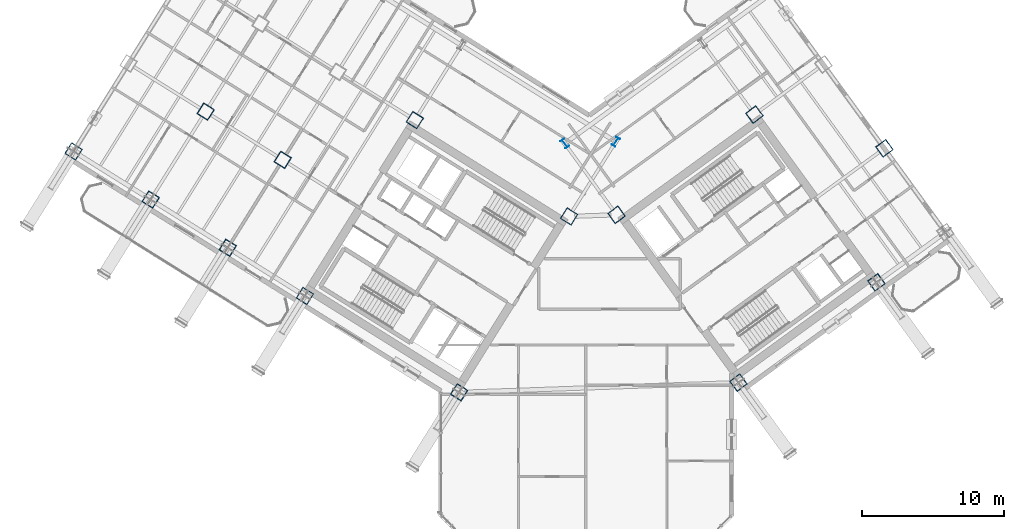
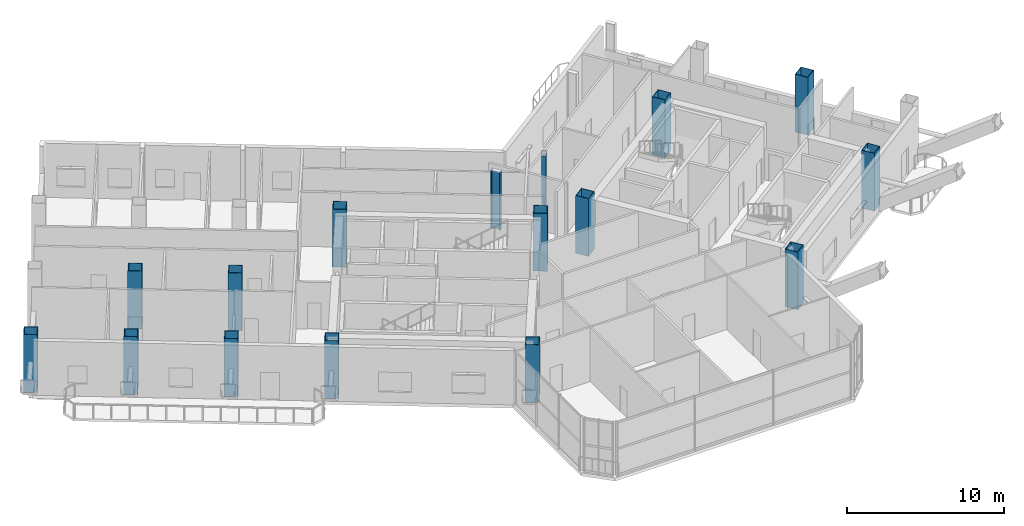
# One storey, part 1 of 32: 16 columns.
"""IFC4 building model written with IfcOpenShell, lengths in metres."""

from ifc_helpers import new_model, si_unit, direction, frame, origin, origin_2d, place, context, subcontext, project, spatial, hollow_rectangle, i_section, extrude, source, transform, mapped, material, material_profile, profile_set, type_object, element, save


model = new_model("IFC4")

# Units and contexts
model_context = context("Model", 3, precision=1e-05, world=origin(), true_north=direction((0.0, 1.0)))
body_context = subcontext(model_context, "Body", "Model", "MODEL_VIEW")
ifc_project = project(units=[si_unit("LENGTHUNIT", "METRE"), si_unit("AREAUNIT", "SQUARE_METRE"), si_unit("VOLUMEUNIT", "CUBIC_METRE"), si_unit("PLANEANGLEUNIT", "RADIAN"), si_unit("MASSUNIT", "GRAM", prefix="KILO")], contexts=[model_context])

# Site, building, storey
site_placement = place(None, origin())
site = spatial("IfcSite", under=ifc_project, at=site_placement, CompositionType="ELEMENT")
building_placement = place(site_placement, origin())
building = spatial("IfcBuilding", under=site, at=building_placement, Name="Tlacorven Tower", CompositionType="ELEMENT")
storey_placement = place(building_placement, frame((0.0, 0.0, 123.300048828125)))
storey = spatial("IfcBuildingStorey", under=building, at=storey_placement, Name="L31", CompositionType="ELEMENT", Elevation=123.300048828125)

# Columns
ifc_material = material(Name="Steel S460M", Category="steel")
ifc_material_profile_1 = material_profile(ifc_material, i_section(OverallWidth=0.300048828125, OverallDepth=0.64990234375, WebThickness=0.01611328125, FlangeThickness=0.031005859375, at=origin_2d()), Name="HEB 650")
ifc_profile_set_1 = profile_set([ifc_material_profile_1], Name="Steel S460M")
column_type_1 = type_object("IfcColumnType", Name="COL-TWR-P1", PredefinedType="COLUMN", material=ifc_profile_set_1)
shared_shape_1 = source(origin(), body_context, "Body", "SweptSolid", [
    extrude(i_section(OverallWidth=0.300048828125, OverallDepth=0.64990234375, WebThickness=0.01611328125, FlangeThickness=0.031005859375, at=origin_2d()), origin(), (0.0, 0.0, 1.0), 4.5),
])
for number, where, z_axis, x_axis, name in (
    (1, (44.068359375, 29.726318359375, 0.0), (0.0, 0.0, 1.0), (-0.848048096156, 0.529919264233, 0.0), "L31 column COL-L31-W1-1"),
    (2, (40.4794921875, 29.60107421875, 0.0), (0.0, 0.0, 1.0), (0.809016994375, 0.587785252292, 0.0), "L31 column COL-L31-E1-4"),
):
    element("IfcColumn", number, at=place(storey_placement, frame(where, z_axis=z_axis, x_axis=x_axis)), inside=storey, type_object=column_type_1, Name=name, PredefinedType="COLUMN", context=body_context, shape_type="MappedRepresentation", body=[
        mapped(shared_shape_1, transform((0.0, 0.0, 0.0), scale=1.0)),
    ])
ifc_material_profile_2 = material_profile(ifc_material, hollow_rectangle(XDim=0.89990234375, YDim=0.89990234375, WallThickness=0.035888671875, at=origin_2d()), Name="BOX 900X900X36")
ifc_profile_set_2 = profile_set([ifc_material_profile_2], Name="Steel S460M")
column_type_2 = type_object("IfcColumnType", Name="COL-TWR-S2", PredefinedType="COLUMN", material=ifc_profile_set_2)
shared_shape_2 = source(origin(), body_context, "Body", "SweptSolid", [
    extrude(hollow_rectangle(XDim=0.89990234375, YDim=0.89990234375, WallThickness=0.035888671875, at=origin_2d()), origin(), (0.0, 0.0, 1.0), 4.5),
])
for number, where, z_axis, x_axis, name in (
    (3, (40.782958984375, 24.468505859375, 0.0), (0.0, 0.0, 1.0), (-0.848048096156, 0.529919264233, 0.0), "L31 column COL-L31-W1-2"),
    (4, (33.046142578125, 12.0869140625, 0.0), (0.0, 0.0, 1.0), (-0.848048096156, 0.529919264233, 0.0), "L31 column COL-L31-W1-4"),
    (5, (29.927978515625, 31.25146484375, 0.0), (0.0, 0.0, 1.0), (-0.848048096156, 0.529919264233, 0.0), "L31 column COL-L31-W3-2"),
    (6, (22.191162109375, 18.869873046875, 0.0), (0.0, 0.0, 1.0), (-0.848048096156, 0.529919264233, 0.0), "L31 column COL-L31-W3-4"),
    (7, (20.632080078125, 28.4521484375, 0.0), (0.0, 0.0, 1.0), (-0.848048096156, 0.529919264233, 0.0), "L31 column COL-L31-W4-3"),
    (8, (16.763671875, 22.26123046875, 0.0), (0.0, 0.0, 1.0), (-0.848048096156, 0.529919264233, 0.0), "L31 column COL-L31-W4-4"),
    (9, (15.20458984375, 31.843505859375, 0.0), (0.0, 0.0, 1.0), (-0.848048096156, 0.529919264233, 0.0), "L31 column COL-L31-W5-3"),
    (10, (11.336181640625, 25.65283203125, 0.0), (0.0, 0.0, 1.0), (-0.848048096156, 0.529919264233, 0.0), "L31 column COL-L31-W5-4"),
    (11, (5.90869140625, 29.044189453125, 0.0), (0.0, 0.0, 1.0), (-0.848048096156, 0.529919264233, 0.0), "L31 column COL-L31-W6-4"),
    (12, (52.705322265625, 12.7734375, 0.0), (0.0, 0.0, 1.0), (0.809016994375, 0.587785252292, 0.0), "L31 column COL-L31-E1-1"),
    (13, (44.123779296875, 24.5849609375, 0.0), (0.0, 0.0, 1.0), (0.809016994375, 0.587785252292, 0.0), "L31 column COL-L31-E1-3"),
    (14, (62.41357421875, 19.826904296875, 0.0), (0.0, 0.0, 1.0), (0.809016994375, 0.587785252292, 0.0), "L31 column COL-L31-E3-1"),
    (15, (53.83203125, 31.638427734375, 0.0), (0.0, 0.0, 1.0), (0.809016994375, 0.587785252292, 0.0), "L31 column COL-L31-E3-3"),
    (16, (62.976806640625, 29.25927734375, 0.0), (0.0, 0.0, 1.0), (0.809016994375, 0.587785252292, 0.0), "L31 column COL-L31-E4-2"),
):
    element("IfcColumn", number, at=place(storey_placement, frame(where, z_axis=z_axis, x_axis=x_axis)), inside=storey, type_object=column_type_2, Name=name, PredefinedType="COLUMN", context=body_context, shape_type="MappedRepresentation", body=[
        mapped(shared_shape_2, transform((0.0, 0.0, 0.0), scale=1.0)),
    ])

save(model, "model.ifc")
